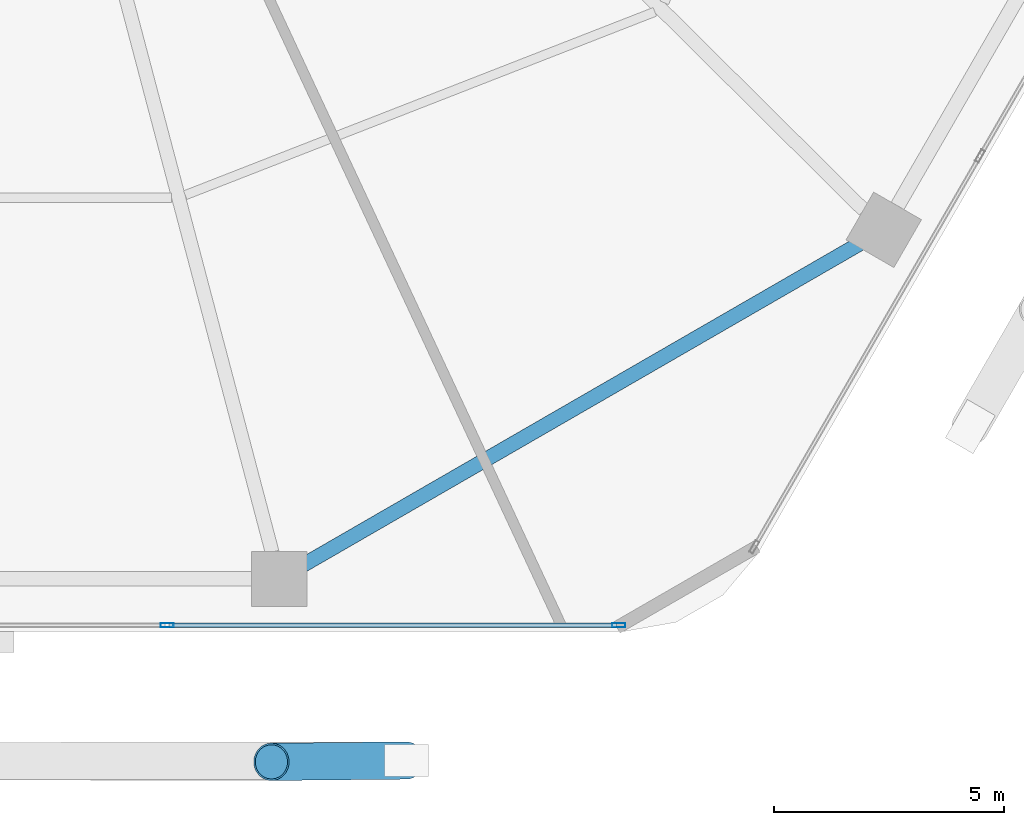
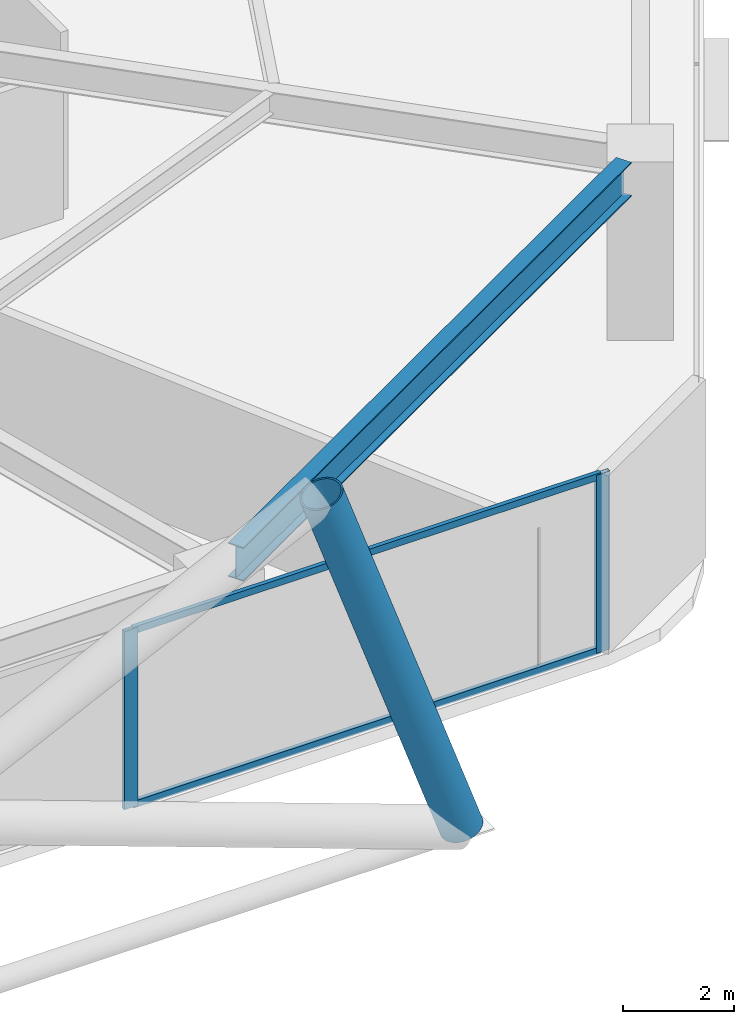
# One storey, part 7 of 30: 5 members, 1 beam, 1 element without a shape of its own.
"""IFC4 building model written with IfcOpenShell, lengths in metres."""

from ifc_helpers import new_model, si_unit, direction, frame, origin, origin_2d, place, context, subcontext, project, spatial, hollow_rectangle, hollow_circle, i_section, extrude, material, material_profile, profile_set, type_object, element, aggregate, save


model = new_model("IFC4")

# Units and contexts
model_context = context("Model", 3, precision=1e-05, world=origin(), true_north=direction((0.0, 1.0)))
body_context = subcontext(model_context, "Body", "Model", "MODEL_VIEW")
ifc_project = project(units=[si_unit("LENGTHUNIT", "METRE"), si_unit("AREAUNIT", "SQUARE_METRE"), si_unit("VOLUMEUNIT", "CUBIC_METRE"), si_unit("PLANEANGLEUNIT", "RADIAN"), si_unit("MASSUNIT", "GRAM", prefix="KILO")], contexts=[model_context])

# Site, building, storey
site_placement = place(None, origin())
site = spatial("IfcSite", under=ifc_project, at=site_placement, CompositionType="ELEMENT")
building_placement = place(site_placement, origin())
building = spatial("IfcBuilding", under=site, at=building_placement, Name="Zuhravey Tower", CompositionType="ELEMENT")
storey_placement = place(building_placement, frame((0.0, 0.0, 58.199951171875)))
storey = spatial("IfcBuildingStorey", under=building, at=storey_placement, Name="L14", CompositionType="ELEMENT", Elevation=58.199951171875)

# Curtain wall, members
ifc_material_1 = material(Name="Thermally broken anodised aluminium", Category="aluminium")
curtain_wall_type = type_object("IfcCurtainWallType", Name="School Low-E Unitised Curtain Wall CW1", PredefinedType="NOTDEFINED", material=ifc_material_1)
curtain_wall_placement = place(storey_placement, origin())
curtain_wall = element("IfcCurtainWall", 1, at=curtain_wall_placement, inside=storey, type_object=curtain_wall_type, Name="L14 CW1 CW-L14-F5-1", PredefinedType="NOTDEFINED")
ifc_material_2 = material(Name="Anodised aluminium", Category="aluminium")
ifc_material_profile_1 = material_profile(ifc_material_2, hollow_rectangle(XDim=0.090087890625, YDim=0.284912109375, WallThickness=0.0048828125, at=origin_2d()), Name="ALU-RHS-90x285x5")
ifc_profile_set_1 = profile_set([ifc_material_profile_1], Name="Anodised aluminium")
member_type_1 = type_object("IfcMemberType", Name="Curtain-Wall Mullion 90x180", PredefinedType="MULLION", material=ifc_profile_set_1)
member_1_placement = place(storey_placement, frame((50.75439453125, 3.04150390625, 0.0), z_axis=(0.0, 0.0, 1.0), x_axis=(0.0, -1.0, 0.0)))
member_1 = element("IfcMember", 2, at=member_1_placement, type_object=member_type_1, Name="CW1 mullion 1", PredefinedType="MULLION", context=body_context, shape_type="SweptSolid", body=[
    extrude(hollow_rectangle(XDim=0.090087890625, YDim=0.284912109375, WallThickness=0.0048828125, at=origin_2d()), origin(), (0.0, 0.0, 1.0), 3.920166015625),
])
member_2_placement = place(storey_placement, frame((40.93310546875, 3.04150390625, 0.0), z_axis=(0.0, 0.0, 1.0), x_axis=(0.0, -1.0, 0.0)))
member_2 = element("IfcMember", 3, at=member_2_placement, type_object=member_type_1, Name="CW1 mullion 2", PredefinedType="MULLION", context=body_context, shape_type="SweptSolid", body=[
    extrude(hollow_rectangle(XDim=0.090087890625, YDim=0.284912109375, WallThickness=0.0048828125, at=origin_2d()), origin(), (0.0, 0.0, 1.0), 3.920166015625),
])
ifc_material_profile_2 = material_profile(ifc_material_2, hollow_rectangle(XDim=0.090087890625, YDim=0.14990234375, WallThickness=0.0048828125, at=origin_2d()), Name="ALU-RHS-90x150x5")
ifc_profile_set_2 = profile_set([ifc_material_profile_2], Name="Anodised aluminium")
member_type_2 = type_object("IfcMemberType", Name="Curtain-Wall Transom 90x150", PredefinedType="USERDEFINED", material=ifc_profile_set_2)
member_3_placement = place(storey_placement, frame((50.70947265625, 3.04150390625, 0.045166015625), z_axis=(-1.0, 0.0, 0.0), x_axis=(0.0, -1.0, 0.0)))
member_3 = element("IfcMember", 4, at=member_3_placement, type_object=member_type_2, Name="CW1 transom 1.1", ObjectType="TRANSOM", PredefinedType="USERDEFINED", context=body_context, shape_type="SweptSolid", body=[
    extrude(hollow_rectangle(XDim=0.090087890625, YDim=0.14990234375, WallThickness=0.0048828125, at=origin_2d()), origin(), (0.0, 0.0, 1.0), 9.731201171875),
])
member_4_placement = place(storey_placement, frame((50.70947265625, 3.04150390625, 3.875), z_axis=(-1.0, 0.0, 0.0), x_axis=(0.0, -1.0, 0.0)))
member_4 = element("IfcMember", 5, at=member_4_placement, type_object=member_type_2, Name="CW1 transom 1.2", ObjectType="TRANSOM", PredefinedType="USERDEFINED", context=body_context, shape_type="SweptSolid", body=[
    extrude(hollow_rectangle(XDim=0.090087890625, YDim=0.14990234375, WallThickness=0.0048828125, at=origin_2d()), origin(), (0.0, 0.0, 1.0), 9.731201171875),
])
aggregate(curtain_wall, [member_1, member_2, member_3, member_4])

# Member
ifc_material_3 = material(Name="Steel SM460", Category="steel")
ifc_material_profile_3 = material_profile(ifc_material_3, hollow_circle(Radius=0.406494140625, WallThickness=0.035888671875, at=origin_2d()), Name="CHS-812.8x36")
ifc_profile_set_3 = profile_set([ifc_material_profile_3], Name="Steel SM460")
member_type_3 = type_object("IfcMemberType", Name="Exoskeleton Zone 1 Diagrid CHS813x36", PredefinedType="BRACE", material=ifc_profile_set_3)
member_5_placement = place(storey_placement, frame((46.129150390625, 0.101318359375, -0.471923828125), z_axis=(-0.330640861788, -0.003364038457, 0.943750657622), x_axis=(0.010173770828, -0.999948245854, 0.0)))
element("IfcMember", 6, at=member_5_placement, inside=storey, type_object=member_type_3, Name="L14 Face 5 Diagrid Brace 4", PredefinedType="BRACE", context=body_context, shape_type="SweptSolid", body=[
    extrude(hollow_circle(Radius=0.406494140625, WallThickness=0.035888671875, at=origin_2d()), origin(), (0.0, 0.0, 1.0), 8.85400390625),
])

# Beam
ifc_material_4 = material(Name="Steel SM355", Category="steel")
ifc_material_profile_4 = material_profile(ifc_material_4, i_section(OverallWidth=0.320068359375, OverallDepth=0.75, WebThickness=0.013916015625, FlangeThickness=0.02490234375, at=origin_2d()), Name="H-750x320x14x25")
ifc_profile_set_4 = profile_set([ifc_material_profile_4], Name="Steel SM355")
beam_type = type_object("IfcBeamType", Name="Perimeter Ring Beam H750x320", PredefinedType="BEAM", material=ifc_profile_set_4)
beam_placement = place(storey_placement, frame((43.89208984375, 4.35302734375, 3.545166015625), z_axis=(0.866029969761, 0.499992091414, 0.0), x_axis=(-0.499992091414, 0.866029969761, 0.0)))
element("IfcBeam", 7, at=beam_placement, inside=storey, type_object=beam_type, Name="L14 PB1 BM-L14-PB-10", PredefinedType="BEAM", context=body_context, shape_type="SweptSolid", body=[
    extrude(i_section(OverallWidth=0.320068359375, OverallDepth=0.75, WebThickness=0.013916015625, FlangeThickness=0.02490234375, at=origin_2d()), origin(), (0.0, 0.0, 1.0), 13.977294921875),
])

save(model, "model.ifc")
